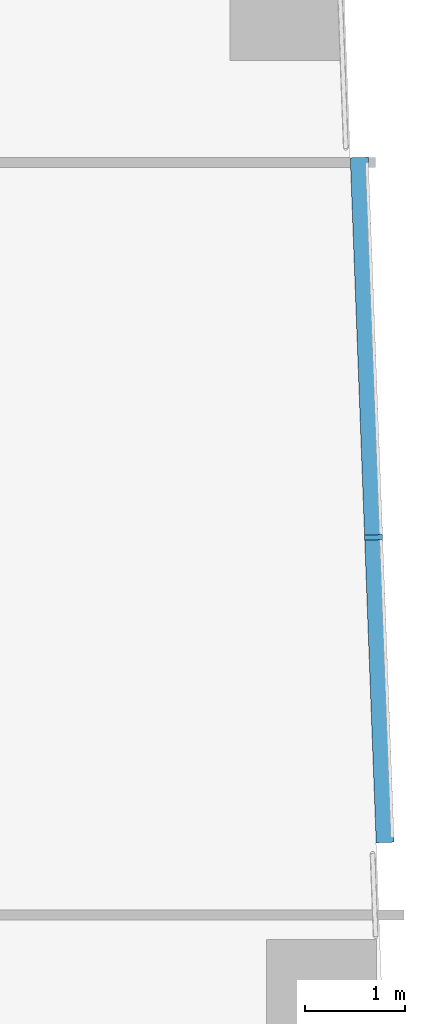
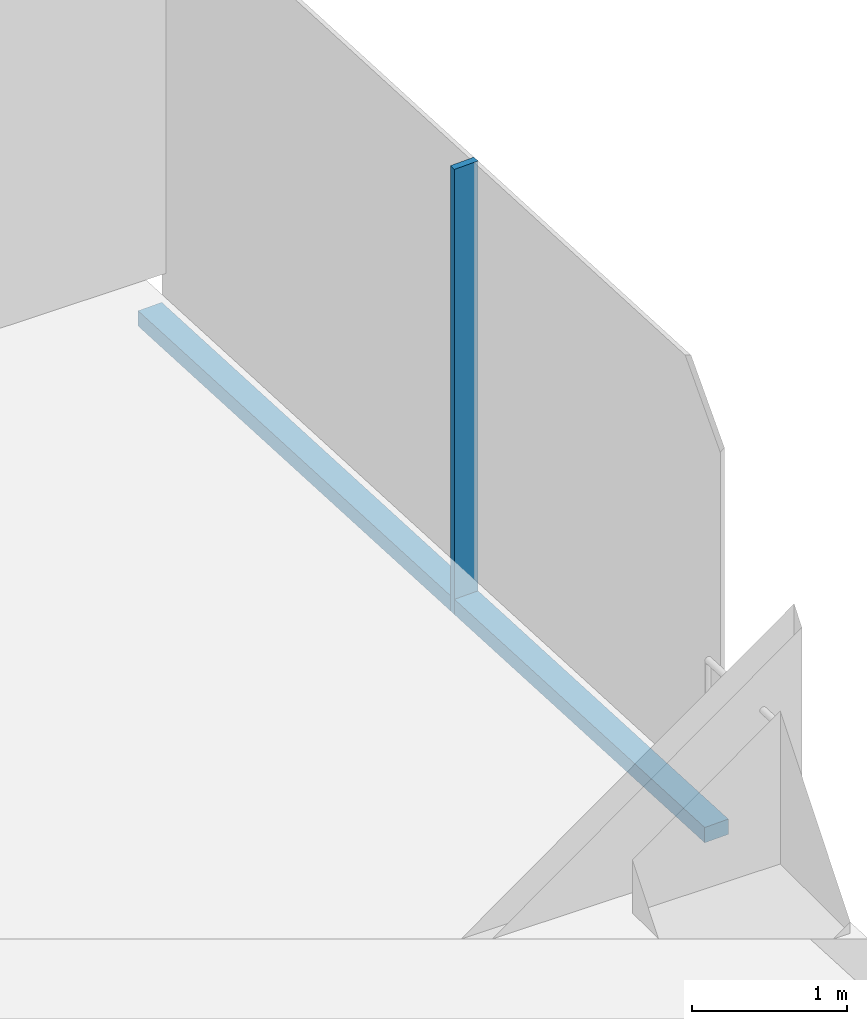
# One storey, part 8 of 28: 2 members, 1 element without a shape of its own.
"""IFC4 building model written with IfcOpenShell, lengths in metres."""

from ifc_helpers import new_model, si_unit, direction, frame, origin, origin_2d, place, context, subcontext, project, spatial, rectangle, extrude, material, material_profile, profile_set, type_object, element, aggregate, save


model = new_model("IFC4")

# Units and contexts
model_context = context("Model", 3, precision=1e-05, world=origin(), true_north=direction((0.0, 1.0)))
body_context = subcontext(model_context, "Body", "Model", "MODEL_VIEW")
ifc_project = project(units=[si_unit("LENGTHUNIT", "METRE"), si_unit("AREAUNIT", "SQUARE_METRE"), si_unit("VOLUMEUNIT", "CUBIC_METRE"), si_unit("PLANEANGLEUNIT", "RADIAN"), si_unit("MASSUNIT", "GRAM", prefix="KILO")], contexts=[model_context])

# Site, building, storey
site_placement = place(None, origin())
site = spatial("IfcSite", under=ifc_project, at=site_placement, CompositionType="ELEMENT")
building_placement = place(site_placement, origin())
building = spatial("IfcBuilding", under=site, at=building_placement, Name="Orlundy Tower", CompositionType="ELEMENT")
storey_placement = place(building_placement, frame((0.0, 0.0, 167.10009765625)))
storey = spatial("IfcBuildingStorey", under=building, at=storey_placement, Name="L43", CompositionType="ELEMENT", Elevation=167.10009765625)

# Curtain wall, members
ifc_material_1 = material(Name="Aluminium bronze anodised", Category="aluminium")
curtain_wall_type = type_object("IfcCurtainWallType", Name="CW1 wall", PredefinedType="NOTDEFINED", material=ifc_material_1)
curtain_wall_placement = place(storey_placement, origin())
curtain_wall = element("IfcCurtainWall", 1, at=curtain_wall_placement, inside=storey, type_object=curtain_wall_type, Name="CW1 run 011", PredefinedType="NOTDEFINED")
ifc_material_2 = material(Name="Aluminium bronze anodised", Category="aluminium")
ifc_material_profile_1 = material_profile(ifc_material_2, rectangle(XDim=0.179931640625, YDim=0.050048828125, at=origin_2d()), Name="CW1 mullion 50x180")
ifc_profile_set_1 = profile_set([ifc_material_profile_1], Name="Aluminium bronze anodised")
member_type_1 = type_object("IfcMemberType", Name="CW1 mullion 50x180", PredefinedType="MULLION", material=ifc_profile_set_1)
member_1_placement = place(storey_placement, frame((39.760498046875, -3.749267578125, -0.420166015625), z_axis=(0.0, 0.0, 1.0), x_axis=(0.999284965389, 0.03780949547, 0.0)))
member_1 = element("IfcMember", 2, at=member_1_placement, type_object=member_type_1, Name="CW1 mullion 35", PredefinedType="MULLION", context=body_context, shape_type="SweptSolid", body=[
    extrude(rectangle(XDim=0.179931640625, YDim=0.050048828125, at=origin_2d()), origin(), (0.0, 0.0, 1.0), 3.5),
])
ifc_material_3 = material(Name="Aluminium bronze anodised", Category="aluminium")
ifc_material_profile_2 = material_profile(ifc_material_3, rectangle(XDim=0.179931640625, YDim=0.1201171875, at=origin_2d()), Name="CW1 transom 180x120")
ifc_profile_set_2 = profile_set([ifc_material_profile_2], Name="Aluminium bronze anodised")
member_type_2 = type_object("IfcMemberType", Name="CW1 transom 180x120", PredefinedType="USERDEFINED", material=ifc_profile_set_2)
member_2_placement = place(storey_placement, frame((39.61669921875, 0.05029296875, -0.360107421875), z_axis=(0.037819045987, -0.999284603985, 0.0), x_axis=(0.999284603985, 0.037819045987, 0.0)))
member_2 = element("IfcMember", 3, at=member_2_placement, type_object=member_type_2, Name="CW1 transom", ObjectType="TRANSOM", PredefinedType="USERDEFINED", context=body_context, shape_type="SweptSolid", body=[
    extrude(rectangle(XDim=0.179931640625, YDim=0.1201171875, at=origin_2d()), origin(), (0.0, 0.0, 1.0), 6.855712890625),
])
aggregate(curtain_wall, [member_1, member_2])

save(model, "model.ifc")
